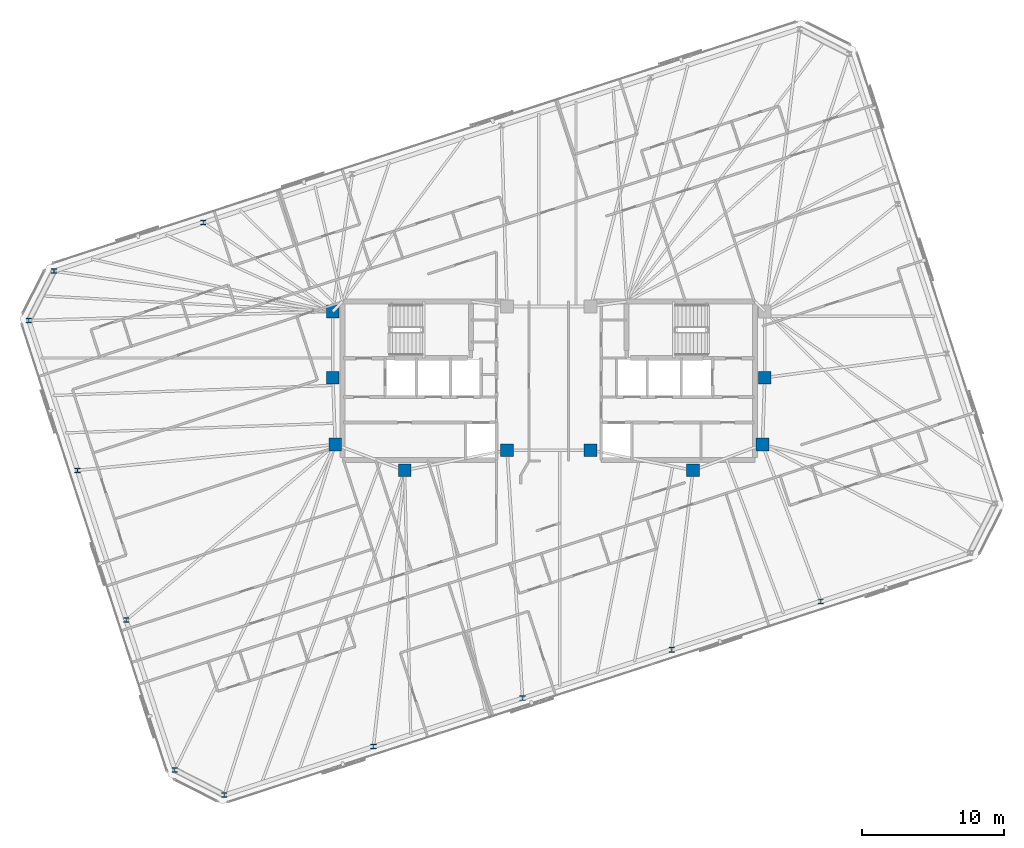
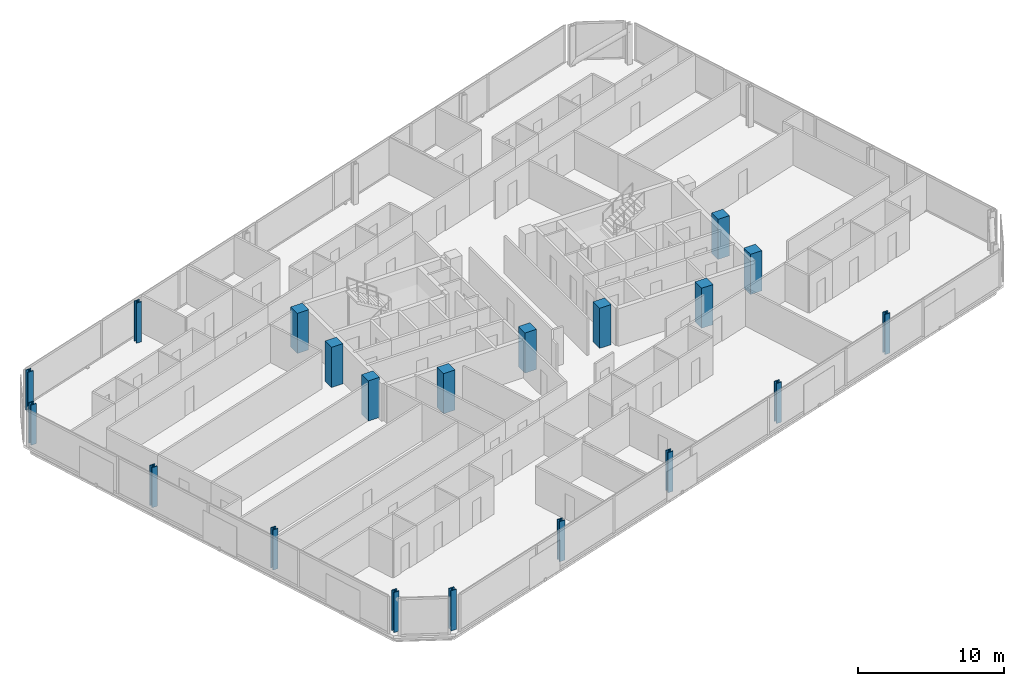
# One storey, part 1 of 20: 20 columns.
"""IFC4 building model written with IfcOpenShell, lengths in metres."""

import ifcopenshell
import ifcopenshell.guid

model = None  # the IFC model being written
_history = None  # IfcOwnerHistory: only IFC2X3 demands one
_inside = {}  # id of a spatial element -> (the spatial element, [elements in it])
_under = {}  # id of a project, library or spatial element -> (it, [spatial elements below it])
_declared = {}  # id of a project -> (the project, [libraries it declares])
_typed = {}  # id of a type object -> (the type object, [elements of that type])
_made_of = {}  # id of a material, layer set ... -> (it, [elements and type objects made of it])


def new_model(schema):
    """Start an empty IFC model of exactly this schema.

    Asked for "IFC4X3", IfcOpenShell would pick the latest addendum, in which some entities
    have other attributes; the version numbers below select the first issue.
    IFC2X3 requires an IfcOwnerHistory on every rooted entity: one is made here for all.
    """
    global model, _history
    if schema == "IFC4X3":
        model = ifcopenshell.file(schema_version=(4, 3, 0, 0))
    else:
        model = ifcopenshell.file(schema=schema)
    _inside.clear()
    _under.clear()
    _declared.clear()
    _typed.clear()
    _made_of.clear()
    _history = None
    if model.schema == "IFC2X3":
        org = make("IfcOrganization", Name="unknown")
        user = make(
            "IfcPersonAndOrganization",
            ThePerson=make("IfcPerson", FamilyName="unknown"),
            TheOrganization=org,
        )
        app = make(
            "IfcApplication",
            ApplicationDeveloper=org,
            Version="unknown",
            ApplicationFullName="unknown",
            ApplicationIdentifier="unknown",
        )
        _history = make(
            "IfcOwnerHistory",
            OwningUser=user,
            OwningApplication=app,
            ChangeAction="ADDED",
            CreationDate=0,
        )
    return model


def make(cls, **values):
    """One entity of the class cls with the attributes given. An attribute that is None is left unset."""
    return model.create_entity(
        cls, **{name: value for name, value in values.items() if value is not None}
    )


def rooted(cls, **values):
    """An entity with a GlobalId (a new one), such as an element, a storey or a relation."""
    return make(cls, GlobalId=ifcopenshell.guid.new(), OwnerHistory=_history, **values)


def si_unit(unit_type, name, prefix=None):
    """IfcSIUnit, for example si_unit("LENGTHUNIT", "METRE", prefix="MILLI")."""
    return make("IfcSIUnit", UnitType=unit_type, Prefix=prefix, Name=name)


def assignment(units):
    """IfcUnitAssignment: the units of a project."""
    return None if units is None else make("IfcUnitAssignment", Units=units)


def point(xyz):
    """IfcCartesianPoint."""
    return None if xyz is None else make("IfcCartesianPoint", Coordinates=xyz)


def direction(xyz):
    """IfcDirection."""
    return None if xyz is None else make("IfcDirection", DirectionRatios=xyz)


def frame(location, z_axis=None, x_axis=None):
    """IfcAxis2Placement3D, a coordinate frame: its origin and axes. An axis left out is left unset."""
    return make(
        "IfcAxis2Placement3D",
        Location=point(location),
        Axis=direction(z_axis),
        RefDirection=direction(x_axis),
    )


def frame_2d(location, x_axis=None):
    """IfcAxis2Placement2D, a coordinate frame in the plane: its origin and x axis."""
    return make(
        "IfcAxis2Placement2D", Location=point(location), RefDirection=direction(x_axis)
    )


def origin():
    """The frame at (0, 0, 0) with its axes left unset."""
    return frame((0.0, 0.0, 0.0))


def origin_2d():
    """The frame at (0, 0) in the plane with its x axis left unset."""
    return frame_2d((0.0, 0.0))


def place(relative_to, where):
    """IfcLocalPlacement: puts the frame where relative to a parent placement (None: the world)."""
    return make(
        "IfcLocalPlacement", PlacementRelTo=relative_to, RelativePlacement=where
    )


def context(
    kind, dimensions, precision=None, world=None, true_north=None, identifier=None
):
    """IfcGeometricRepresentationContext, for example the 3D "Model" context."""
    return make(
        "IfcGeometricRepresentationContext",
        ContextIdentifier=identifier,
        ContextType=kind,
        CoordinateSpaceDimension=dimensions,
        Precision=precision,
        WorldCoordinateSystem=world,
        TrueNorth=true_north,
    )


def subcontext(parent, identifier, kind, view, scale=None):
    """IfcGeometricRepresentationSubContext, for example "Body" below "Model"."""
    return make(
        "IfcGeometricRepresentationSubContext",
        ContextIdentifier=identifier,
        ContextType=kind,
        ParentContext=parent,
        TargetScale=scale,
        TargetView=view,
    )


def project(units=None, contexts=None):
    """IfcProject with its units and contexts."""
    return rooted(
        "IfcProject",
        Name="project",
        RepresentationContexts=contexts,
        UnitsInContext=assignment(units),
    )


def spatial(cls, under=None, at=None, **own):
    """A site, building, storey or space (cls), placed at a placement, below another one or the project."""
    s = rooted(cls, ObjectPlacement=at, **own)
    if under is not None:
        _under.setdefault(under.id(), (under, []))[1].append(s)
    return s


def profile(cls, at=None, kind="AREA", **sizes):
    """A parametric profile (cls). Its sizes go by their IFC names, for example OverallWidth=200.0."""
    return make(cls, ProfileType=kind, Position=at, **sizes)


def rectangle(**sizes):
    """IfcRectangleProfileDef."""
    return profile("IfcRectangleProfileDef", **sizes)


def i_section(**sizes):
    """IfcIShapeProfileDef."""
    return profile("IfcIShapeProfileDef", **sizes)


def extrude(swept, where, along, depth):
    """IfcExtrudedAreaSolid: the profile swept, set in the frame where, extruded along a direction by depth."""
    return make(
        "IfcExtrudedAreaSolid",
        SweptArea=swept,
        Position=where,
        ExtrudedDirection=direction(along),
        Depth=depth,
    )


def shape(context_of_items, identifier, shape_type, items):
    """IfcShapeRepresentation: the items that make up one representation, for example the "Body"."""
    return make(
        "IfcShapeRepresentation",
        ContextOfItems=context_of_items,
        RepresentationIdentifier=identifier,
        RepresentationType=shape_type,
        Items=items,
    )


def material(Name=None, Category=None):
    """IfcMaterial."""
    return make("IfcMaterial", Name=Name, Category=Category)


def material_profile(
    of_material, cross_section, Name=None, Category=None, Priority=None
):
    """IfcMaterialProfile: a cross section and its material."""
    return make(
        "IfcMaterialProfile",
        Name=Name,
        Material=of_material,
        Profile=cross_section,
        Priority=Priority,
        Category=Category,
    )


def profile_set(profiles, Name=None, composite=None):
    """IfcMaterialProfileSet."""
    return make(
        "IfcMaterialProfileSet",
        Name=Name,
        MaterialProfiles=profiles,
        CompositeProfile=composite,
    )


def made_of(thing, what):
    """Note that an element or type object is made of a material, layer set ...; save() writes the relation."""
    if what is not None:
        _made_of.setdefault(what.id(), (what, []))[1].append(thing)
    return thing


def type_object(cls, material=None, **own):
    """A type object (cls), such as IfcWallType, which elements share."""
    return made_of(rooted(cls, **own), material)


def element(
    cls,
    number,
    at=None,
    inside=None,
    cuts=None,
    type_object=None,
    material=None,
    context=None,
    identifier="Body",
    shape_type=None,
    held_by="IfcProductDefinitionShape",
    body=None,
    shapes=None,
    **own,
):
    """One element of the class cls, such as IfcWall. Its Tag is "e" and its number.

    at: its placement. inside: the storey or other place that contains it. cuts: it is an
    opening in that element (IfcRelVoidsElement). A single representation is given by context,
    identifier, shape_type and body (its items); several are given by shapes. held_by: the class
    of the entity that holds the representations. save() writes the other relations.
    """
    e = rooted(cls, Tag="e%d" % number, ObjectPlacement=at, **own)
    if body is not None:
        shapes = [shape(context, identifier, shape_type, body)]
    if shapes is not None:
        e.Representation = make(held_by, Representations=shapes)
    if inside is not None:
        _inside.setdefault(inside.id(), (inside, []))[1].append(e)
    if cuts is not None:
        rooted(
            "IfcRelVoidsElement", RelatingBuildingElement=cuts, RelatedOpeningElement=e
        )
    if type_object is not None:
        _typed.setdefault(type_object.id(), (type_object, []))[1].append(e)
    return made_of(e, material)


def aggregate(whole, parts):
    """IfcRelAggregates: a whole, such as a stair, and the parts it consists of."""
    return rooted("IfcRelAggregates", RelatingObject=whole, RelatedObjects=parts)


def save(model, path):
    """Write the relations noted so far, then the file.

    IfcRelAggregates (storeys below a building ...), IfcRelContainedInSpatialStructure (elements
    in a storey), IfcRelDefinesByType, IfcRelAssociatesMaterial and IfcRelDeclares: one each for
    every whole, place, type object, material and project.
    """
    for whole, parts in _under.values():
        aggregate(whole, parts)
    for where, things in _inside.values():
        rooted(
            "IfcRelContainedInSpatialStructure",
            RelatedElements=things,
            RelatingStructure=where,
        )
    for kind, things in _typed.values():
        rooted("IfcRelDefinesByType", RelatedObjects=things, RelatingType=kind)
    for what, things in _made_of.values():
        rooted("IfcRelAssociatesMaterial", RelatedObjects=things, RelatingMaterial=what)
    for by, libraries in _declared.values():
        rooted("IfcRelDeclares", RelatingContext=by, RelatedDefinitions=libraries)
    model.write(path)


model = new_model("IFC4")

# Units and contexts
model_context = context("Model", 3, precision=1e-05, world=origin(), true_north=direction((0.0, 1.0)))
body_context = subcontext(model_context, "Body", "Model", "MODEL_VIEW")
ifc_project = project(units=[si_unit("LENGTHUNIT", "METRE"), si_unit("AREAUNIT", "SQUARE_METRE"), si_unit("VOLUMEUNIT", "CUBIC_METRE"), si_unit("PLANEANGLEUNIT", "RADIAN"), si_unit("MASSUNIT", "GRAM", prefix="KILO")], contexts=[model_context])

# Site, building, storey
site_placement = place(None, origin())
site = spatial("IfcSite", under=ifc_project, at=site_placement, CompositionType="ELEMENT")
building_placement = place(site_placement, origin())
building = spatial("IfcBuilding", under=site, at=building_placement, Name="Menara Jurai Vektor", CompositionType="ELEMENT")
storey_placement = place(building_placement, frame((0.0, 0.0, 237.699951171875)))
storey = spatial("IfcBuildingStorey", under=building, at=storey_placement, Name="L63", CompositionType="ELEMENT", Elevation=237.699951171875)

# Columns
ifc_material_1 = material(Name="Concrete C50/60", Category="concrete")
ifc_material_profile_1 = material_profile(ifc_material_1, rectangle(XDim=0.89990234375, YDim=0.89990234375, at=origin_2d()), Name="RC 900x900")
ifc_profile_set_1 = profile_set([ifc_material_profile_1], Name="Concrete C50/60")
column_type_1 = type_object("IfcColumnType", Name="STR-COL-RC900", PredefinedType="COLUMN", material=ifc_profile_set_1)
for number, where, z_axis, x_axis, name in (
    (1, (-15.25, 4.89990234375, 0.0), (0.0, 0.0, 1.0), (1.0, 0.0, 0.0), "Core Spine Column CW-NW L63"),
    (2, (-15.25, 0.219970703125, 0.0), (0.0, 0.0, 1.0), (1.0, 0.0, 0.0), "Core Spine Column CW-WM L63"),
    (3, (-15.080078125, -4.5, 0.0), (0.0, 0.0, 1.0), (1.0, 0.0, 0.0), "Core Spine Column CW-SW L63"),
    (4, (-10.179931640625, -6.320068359375, 0.0), (0.0, 0.0, 1.0), (1.0, 0.0, 0.0), "Core Spine Column CW-SM L63"),
    (5, (-2.949951171875, -4.89990234375, 0.0), (0.0, 0.0, 1.0), (1.0, 0.0, 0.0), "Core Spine Column CW-SE L63"),
    (6, (15.25, 0.219970703125, 0.0), (0.0, 0.0, 1.0), (1.0, 0.0, 0.0), "Core Spine Column CE-EM L63"),
    (7, (15.080078125, -4.5, 0.0), (0.0, 0.0, 1.0), (1.0, 0.0, 0.0), "Core Spine Column CE-SE L63"),
    (8, (10.179931640625, -6.320068359375, 0.0), (0.0, 0.0, 1.0), (1.0, 0.0, 0.0), "Core Spine Column CE-SM L63"),
    (9, (2.949951171875, -4.89990234375, 0.0), (0.0, 0.0, 1.0), (1.0, 0.0, 0.0), "Core Spine Column CE-SW L63"),
):
    element("IfcColumn", number, at=place(storey_placement, frame(where, z_axis=z_axis, x_axis=x_axis)), inside=storey, type_object=column_type_1, Name=name, PredefinedType="COLUMN", context=body_context, shape_type="SweptSolid", body=[
        extrude(rectangle(XDim=0.89990234375, YDim=0.89990234375, at=origin_2d()), origin(), (0.0, 0.0, 1.0), 3.35009765625),
    ])
ifc_material_2 = material(Name="Steel S460", Category="steel")
ifc_material_profile_2 = material_profile(ifc_material_2, i_section(OverallWidth=0.405029296875, OverallDepth=0.35498046875, WebThickness=0.0419921875, FlangeThickness=0.068115234375, FilletRadius=0.014892578125, at=origin_2d()), Name="HD 400x551")
ifc_profile_set_2 = profile_set([ifc_material_profile_2], Name="Steel S460")
column_type_2 = type_object("IfcColumnType", Name="STR-EXO-BLK4", PredefinedType="COLUMN", material=ifc_profile_set_2)
for number, where, z_axis, x_axis, name in (
    (10, (-22.912841796875, -29.2509765625, 0.0), (0.0, 0.0, 1.0), (1.0, 0.0, 0.0), "Exoskeleton Column BLK4-S1 L63"),
    (11, (-12.383544921875, -25.829833984375, 0.0), (0.0, 0.0, 1.0), (1.0, 0.0, 0.0), "Exoskeleton Column BLK4-S2 L63"),
    (12, (-1.854248046875, -22.40869140625, 0.0), (0.0, 0.0, 1.0), (1.0, 0.0, 0.0), "Exoskeleton Column BLK4-S3 L63"),
    (13, (8.675048828125, -18.987548828125, 0.0), (0.0, 0.0, 1.0), (1.0, 0.0, 0.0), "Exoskeleton Column BLK4-S4 L63"),
    (14, (19.204345703125, -15.56640625, 0.0), (0.0, 0.0, 1.0), (1.0, 0.0, 0.0), "Exoskeleton Column BLK4-S5 L63"),
    (15, (-24.404296875, 11.166259765625, 0.0), (0.0, 0.0, 1.0), (1.0, 0.0, 0.0), "Exoskeleton Column BLK4-N5 L63"),
    (16, (-34.93359375, 7.7451171875, 0.0), (0.0, 0.0, 1.0), (1.0, 0.0, 0.0), "Exoskeleton Column BLK4-N6 L63"),
    (17, (-36.71337890625, 4.251953125, 0.0), (0.0, 0.0, 1.0), (1.0, 0.0, 0.0), "Exoskeleton Column BLK4-W1 L63"),
    (18, (-33.277587890625, -6.322265625, 0.0), (0.0, 0.0, 1.0), (1.0, 0.0, 0.0), "Exoskeleton Column BLK4-W2 L63"),
    (19, (-29.841796875, -16.896728515625, 0.0), (0.0, 0.0, 1.0), (1.0, 0.0, 0.0), "Exoskeleton Column BLK4-W3 L63"),
    (20, (-26.406005859375, -27.47119140625, 0.0), (0.0, 0.0, 1.0), (1.0, 0.0, 0.0), "Exoskeleton Column BLK4-W4 L63"),
):
    element("IfcColumn", number, at=place(storey_placement, frame(where, z_axis=z_axis, x_axis=x_axis)), inside=storey, type_object=column_type_2, Name=name, PredefinedType="COLUMN", context=body_context, shape_type="SweptSolid", body=[
        extrude(i_section(OverallWidth=0.405029296875, OverallDepth=0.35498046875, WebThickness=0.0419921875, FlangeThickness=0.068115234375, FilletRadius=0.014892578125, at=origin_2d()), origin(), (0.0, 0.0, 1.0), 3.35009765625),
    ])

save(model, "model.ifc")
